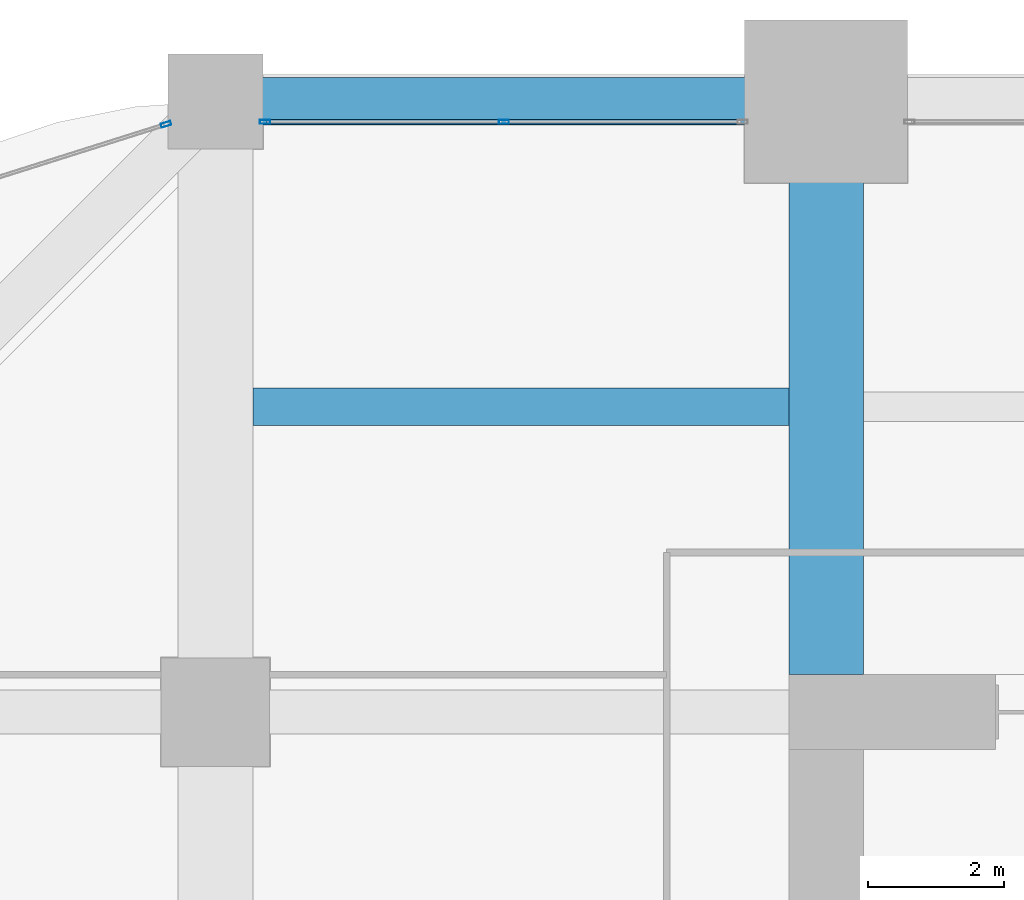
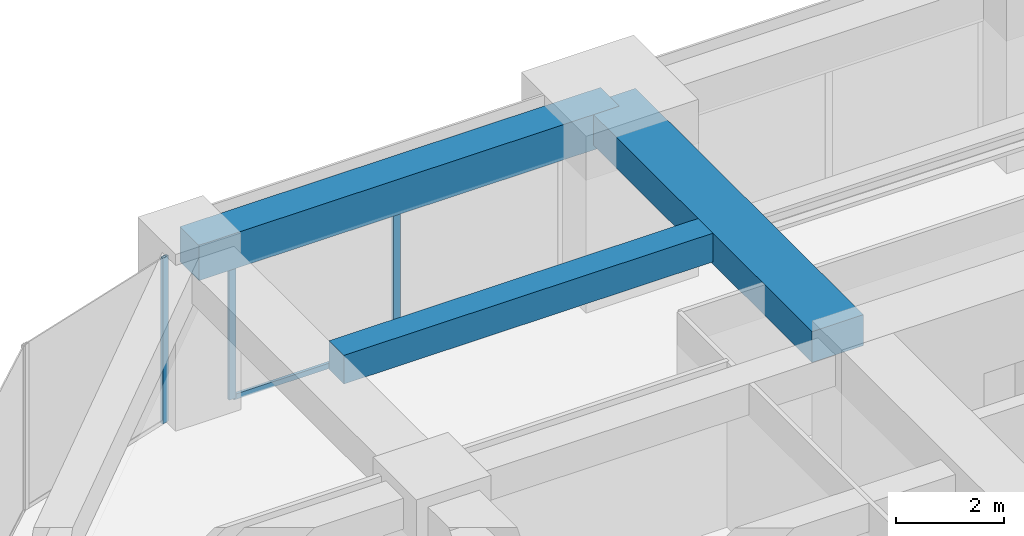
# One storey, part 23 of 32: 4 members, 3 beams, 2 elements without a shape of their own.
"""IFC4 building model written with IfcOpenShell, lengths in metres."""

from ifc_helpers import new_model, si_unit, direction, frame, origin, origin_2d, place, context, subcontext, project, spatial, rectangle, hollow_rectangle, extrude, material, material_profile, profile_set, type_object, element, aggregate, save


model = new_model("IFC4")

# Units and contexts
model_context = context("Model", 3, precision=1e-05, world=origin(), true_north=direction((0.0, 1.0)))
body_context = subcontext(model_context, "Body", "Model", "MODEL_VIEW")
ifc_project = project(units=[si_unit("LENGTHUNIT", "METRE"), si_unit("AREAUNIT", "SQUARE_METRE"), si_unit("VOLUMEUNIT", "CUBIC_METRE"), si_unit("PLANEANGLEUNIT", "RADIAN"), si_unit("MASSUNIT", "GRAM", prefix="KILO")], contexts=[model_context])

# Site, building, storey
site_placement = place(None, origin())
site = spatial("IfcSite", under=ifc_project, at=site_placement, CompositionType="ELEMENT")
building_placement = place(site_placement, origin())
building = spatial("IfcBuilding", under=site, at=building_placement, Name="Zorevar Civic Tower", CompositionType="ELEMENT")
storey_placement = place(building_placement, frame((0.0, 0.0, 182.199951171875)))
storey = spatial("IfcBuildingStorey", under=building, at=storey_placement, Name="L44", CompositionType="ELEMENT", Elevation=182.199951171875)

# Beams
ifc_material_1 = material(Name="Concrete C50/60", Category="concrete")
ifc_material_profile_1 = material_profile(ifc_material_1, rectangle(XDim=1.10009765625, YDim=0.699951171875, at=origin_2d()), Name="RC 1100x700")
ifc_profile_set_1 = profile_set([ifc_material_profile_1], Name="Concrete C50/60")
beam_type_1 = type_object("IfcBeamType", Name="Beam RC 1100x700", PredefinedType="BEAM", material=ifc_profile_set_1)
beam_1_placement = place(storey_placement, frame((18.0, 36.550048828125, 3.400146484375), z_axis=(0.0, 1.0, 0.0), x_axis=(-1.0, 0.0, 0.0)))
element("IfcBeam", 1, at=beam_1_placement, inside=storey, type_object=beam_type_1, Name="Girder L45", PredefinedType="BEAM", context=body_context, shape_type="SweptSolid", body=[
    extrude(rectangle(XDim=1.10009765625, YDim=0.699951171875, at=origin_2d()), origin(), (0.0, 0.0, 1.0), 8.449951171875),
])
ifc_material_2 = material(Name="Concrete C50/60", Category="concrete")
ifc_material_profile_2 = material_profile(ifc_material_2, rectangle(XDim=0.550048828125, YDim=0.64990234375, at=origin_2d()), Name="RC 550x650")
ifc_profile_set_2 = profile_set([ifc_material_profile_2], Name="Concrete C50/60")
beam_type_2 = type_object("IfcBeamType", Name="Beam RC 550x650", PredefinedType="BEAM", material=ifc_profile_set_2)
beam_2_placement = place(storey_placement, frame((9.550048828125, 40.5, 3.425048828125), z_axis=(1.0, 0.0, 0.0), x_axis=(0.0, 1.0, 0.0)))
element("IfcBeam", 2, at=beam_2_placement, inside=storey, type_object=beam_type_2, Name="Secondary beam L45", PredefinedType="BEAM", context=body_context, shape_type="SweptSolid", body=[
    extrude(rectangle(XDim=0.550048828125, YDim=0.64990234375, at=origin_2d()), origin(), (0.0, 0.0, 1.0), 7.89990234375),
])

# Curtain wall, members
ifc_material_3 = material(Name="Dark grey solar-control glass in black aluminium frame", Category="aluminium")
curtain_wall_type = type_object("IfcCurtainWallType", Name="Curtain wall CW4 high zone", PredefinedType="NOTDEFINED", material=ifc_material_3)
curtain_wall_1_placement = place(storey_placement, origin())
curtain_wall_1 = element("IfcCurtainWall", 3, at=curtain_wall_1_placement, inside=storey, type_object=curtain_wall_type, Name="CW4 L44", PredefinedType="NOTDEFINED")
ifc_material_4 = material(Name="Aluminium, black anodised", Category="aluminium")
ifc_material_profile_3 = material_profile(ifc_material_4, hollow_rectangle(XDim=0.06005859375, YDim=0.14990234375, WallThickness=0.00390625, at=origin_2d()), Name="AL 150x60x4")
ifc_profile_set_3 = profile_set([ifc_material_profile_3], Name="Aluminium, black anodised")
member_type_1 = type_object("IfcMemberType", Name="CW4 mullion AL 150x60x4", PredefinedType="MULLION", material=ifc_profile_set_3)
member_1_placement = place(storey_placement, frame((9.72998046875, 44.699951171875, 0.0), z_axis=(0.0, 0.0, 1.0), x_axis=(0.0, 1.0, 0.0)))
member_1 = element("IfcMember", 4, at=member_1_placement, type_object=member_type_1, Name="CW4 mullion 1", PredefinedType="MULLION", context=body_context, shape_type="SweptSolid", body=[
    extrude(hollow_rectangle(XDim=0.06005859375, YDim=0.14990234375, WallThickness=0.00390625, at=origin_2d()), origin(), (0.0, 0.0, 1.0), 2.949951171875),
])
member_2_placement = place(storey_placement, frame((13.25, 44.699951171875, 0.06005859375), z_axis=(0.0, 0.0, 1.0), x_axis=(0.0, 1.0, 0.0)))
member_2 = element("IfcMember", 5, at=member_2_placement, type_object=member_type_1, Name="CW4 mullion 2", PredefinedType="MULLION", context=body_context, shape_type="SweptSolid", body=[
    extrude(hollow_rectangle(XDim=0.06005859375, YDim=0.14990234375, WallThickness=0.00390625, at=origin_2d()), origin(), (0.0, 0.0, 1.0), 2.889892578125),
])

# Curtain wall, member
curtain_wall_2_placement = place(storey_placement, origin())
curtain_wall_2 = element("IfcCurtainWall", 6, at=curtain_wall_2_placement, inside=storey, type_object=curtain_wall_type, Name="CW4 L44", PredefinedType="NOTDEFINED")
member_3_placement = place(storey_placement, frame((8.271484375, 44.66259765625, 0.0), z_axis=(0.0, 0.0, 1.0), x_axis=(0.301108296077, -0.953589950678, 0.0)))
member_3 = element("IfcMember", 7, at=member_3_placement, type_object=member_type_1, Name="CW4 mullion 1", PredefinedType="MULLION", context=body_context, shape_type="SweptSolid", body=[
    extrude(hollow_rectangle(XDim=0.06005859375, YDim=0.14990234375, WallThickness=0.00390625, at=origin_2d()), origin(), (0.0, 0.0, 1.0), 3.75),
])
aggregate(curtain_wall_2, [member_3])

# Member
ifc_material_5 = material(Name="Aluminium, black anodised", Category="aluminium")
ifc_material_profile_4 = material_profile(ifc_material_5, hollow_rectangle(XDim=0.06005859375, YDim=0.1201171875, WallThickness=0.0029296875, at=origin_2d()), Name="AL 120x60x3")
ifc_profile_set_4 = profile_set([ifc_material_profile_4], Name="Aluminium, black anodised")
member_type_2 = type_object("IfcMemberType", Name="CW4 transom AL 120x60x3", PredefinedType="USERDEFINED", material=ifc_profile_set_4)
member_4_placement = place(storey_placement, frame((9.760009765625, 44.699951171875, 0.030029296875), z_axis=(1.0, 0.0, 0.0), x_axis=(0.0, 1.0, 0.0)))
member_4 = element("IfcMember", 8, at=member_4_placement, type_object=member_type_2, Name="CW4 sill transom", ObjectType="TRANSOM", PredefinedType="USERDEFINED", context=body_context, shape_type="SweptSolid", body=[
    extrude(hollow_rectangle(XDim=0.06005859375, YDim=0.1201171875, WallThickness=0.0029296875, at=origin_2d()), origin(), (0.0, 0.0, 1.0), 6.97998046875),
])

aggregate(curtain_wall_1, [member_1, member_2, member_4])

# Beam
ifc_material_6 = material(Name="Concrete C50/60", Category="concrete")
ifc_material_profile_5 = material_profile(ifc_material_6, rectangle(XDim=0.699951171875, YDim=0.800048828125, at=origin_2d()), Name="RC 700x800")
ifc_profile_set_5 = profile_set([ifc_material_profile_5], Name="Concrete C50/60")
beam_type_3 = type_object("IfcBeamType", Name="Edge beam RC 700x800", PredefinedType="SPANDREL", material=ifc_profile_set_5)
beam_3_placement = place(storey_placement, frame((9.0, 45.0, 3.35009765625), z_axis=(1.0, 0.0, 0.0), x_axis=(0.0, 1.0, 0.0)))
element("IfcBeam", 9, at=beam_3_placement, inside=storey, type_object=beam_type_3, Name="Edge beam L45", PredefinedType="SPANDREL", context=body_context, shape_type="SweptSolid", body=[
    extrude(rectangle(XDim=0.699951171875, YDim=0.800048828125, at=origin_2d()), origin(), (0.0, 0.0, 1.0), 9.0),
])

save(model, "model.ifc")
